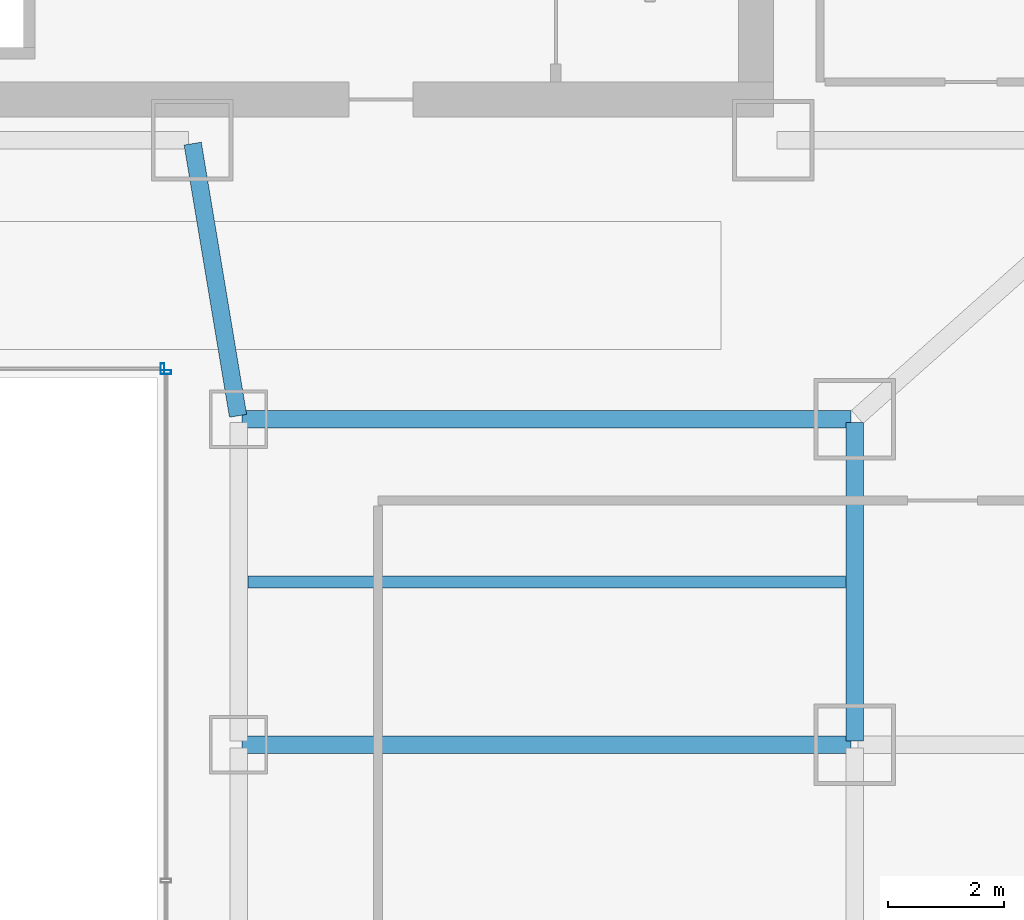
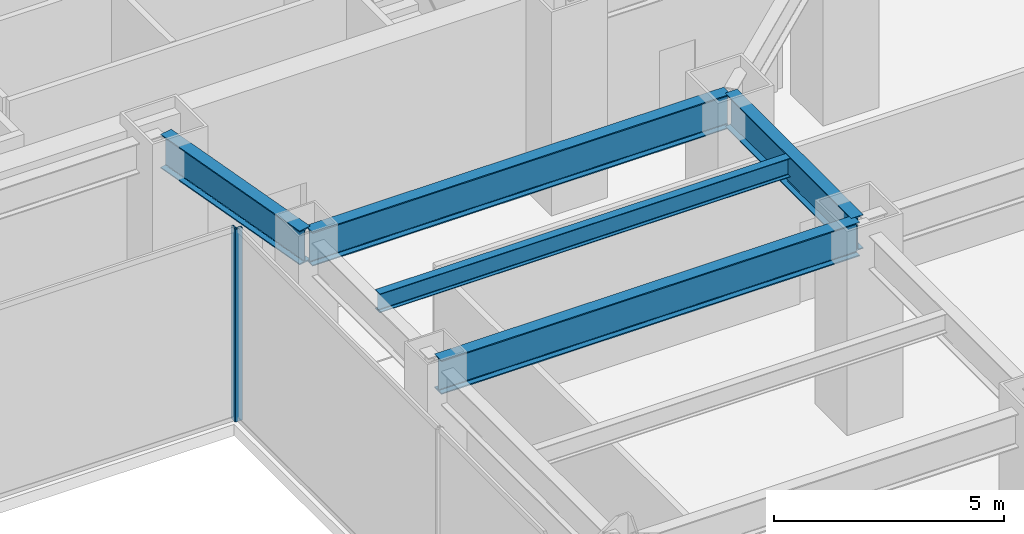
# One storey, part 26 of 52: 5 beams, 2 members, 2 elements without a shape of their own.
"""IFC4 building model written with IfcOpenShell, lengths in metres."""

from ifc_helpers import new_model, si_unit, direction, frame, origin, origin_2d, place, context, subcontext, project, spatial, hollow_rectangle, i_section, extrude, material, material_profile, profile_set, type_object, element, aggregate, save


model = new_model("IFC4")

# Units and contexts
model_context = context("Model", 3, precision=1e-05, world=origin(), true_north=direction((0.0, 1.0)))
body_context = subcontext(model_context, "Body", "Model", "MODEL_VIEW")
ifc_project = project(units=[si_unit("LENGTHUNIT", "METRE"), si_unit("AREAUNIT", "SQUARE_METRE"), si_unit("VOLUMEUNIT", "CUBIC_METRE"), si_unit("PLANEANGLEUNIT", "RADIAN"), si_unit("MASSUNIT", "GRAM", prefix="KILO")], contexts=[model_context])

# Site, building, storey
site_placement = place(None, origin())
site = spatial("IfcSite", under=ifc_project, at=site_placement, CompositionType="ELEMENT")
building_placement = place(site_placement, origin())
building = spatial("IfcBuilding", under=site, at=building_placement, Name="Saevonmaru Cultural Tower", CompositionType="ELEMENT")
storey_placement = place(building_placement, frame((0.0, 0.0, 11.39990234375)))
storey = spatial("IfcBuildingStorey", under=building, at=storey_placement, Name="L02", CompositionType="ELEMENT", Elevation=11.39990234375)

# Beams
ifc_material_1 = material(Name="Steel SM420", Category="steel")
ifc_material_profile_1 = material_profile(ifc_material_1, i_section(OverallWidth=0.300048828125, OverallDepth=0.89990234375, WebThickness=0.01611328125, FlangeThickness=0.028076171875, FilletRadius=0.028076171875, at=origin_2d()), Name="H-900x300x16x28")
ifc_profile_set_1 = profile_set([ifc_material_profile_1], Name="Steel SM420")
beam_type_1 = type_object("IfcBeamType", Name="BM-G-H900", PredefinedType="BEAM", material=ifc_profile_set_1)
beam_1_placement = place(storey_placement, frame((37.190185546875, 37.6591796875, 4.650146484375), z_axis=(-0.164398987305, 0.986393923832, 0.0), x_axis=(-0.986393923832, -0.164398987305, 0.0)))
element("IfcBeam", 1, at=beam_1_placement, inside=storey, type_object=beam_type_1, Name="L02 Podium Girder NS3-6", PredefinedType="BEAM", context=body_context, shape_type="SweptSolid", body=[
    extrude(i_section(OverallWidth=0.300048828125, OverallDepth=0.89990234375, WebThickness=0.01611328125, FlangeThickness=0.028076171875, FilletRadius=0.028076171875, at=origin_2d()), origin(), (0.0, 0.0, 1.0), 4.746337890625),
])
beam_2_placement = place(storey_placement, frame((47.800048828125, 32.06005859375, 4.650146484375), z_axis=(0.0, 1.0, 0.0), x_axis=(-1.0, 0.0, 0.0)))
element("IfcBeam", 2, at=beam_2_placement, inside=storey, type_object=beam_type_1, Name="L02 Podium Girder NS4-5", PredefinedType="BEAM", context=body_context, shape_type="SweptSolid", body=[
    extrude(i_section(OverallWidth=0.300048828125, OverallDepth=0.89990234375, WebThickness=0.01611328125, FlangeThickness=0.028076171875, FilletRadius=0.028076171875, at=origin_2d()), origin(), (0.0, 0.0, 1.0), 5.47998046875),
])
for number, where, z_axis, x_axis, name in (
    (3, (37.260009765625, 32.0, 4.650146484375), (1.0, 0.0, 0.0), (0.0, 1.0, 0.0), "L02 Gallery Girder E-4"),
    (4, (37.260009765625, 37.60009765625, 4.650146484375), (1.0, 0.0, 0.0), (0.0, 1.0, 0.0), "L02 Gallery Girder E-5"),
):
    element("IfcBeam", number, at=place(storey_placement, frame(where, z_axis=z_axis, x_axis=x_axis)), inside=storey, type_object=beam_type_1, Name=name, PredefinedType="BEAM", context=body_context, shape_type="SweptSolid", body=[
        extrude(i_section(OverallWidth=0.300048828125, OverallDepth=0.89990234375, WebThickness=0.01611328125, FlangeThickness=0.028076171875, FilletRadius=0.028076171875, at=origin_2d()), origin(), (0.0, 0.0, 1.0), 10.47998046875),
    ])
ifc_material_2 = material(Name="Steel SM355", Category="steel")
ifc_material_profile_2 = material_profile(ifc_material_2, i_section(OverallWidth=0.199951171875, OverallDepth=0.5, WebThickness=0.010009765625, FlangeThickness=0.01611328125, FilletRadius=0.02001953125, at=origin_2d()), Name="H-500x200x10x16")
ifc_profile_set_2 = profile_set([ifc_material_profile_2], Name="Steel SM355")
beam_type_2 = type_object("IfcBeamType", Name="BM-J-H500", PredefinedType="JOIST", material=ifc_profile_set_2)
beam_3_placement = place(storey_placement, frame((37.35791015625, 34.800048828125, 4.85009765625), z_axis=(1.0, 0.0, 0.0), x_axis=(0.0, 1.0, 0.0)))
element("IfcBeam", 5, at=beam_3_placement, inside=storey, type_object=beam_type_2, Name="L02 Secondary Floor Joist JE-4", PredefinedType="JOIST", context=body_context, shape_type="SweptSolid", body=[
    extrude(i_section(OverallWidth=0.199951171875, OverallDepth=0.5, WebThickness=0.010009765625, FlangeThickness=0.01611328125, FilletRadius=0.02001953125, at=origin_2d()), origin(), (0.0, 0.0, 1.0), 10.2841796875),
])

# Curtain wall, member
ifc_material_3 = material(Name="Satin Bronze Anodised Aluminium", Category="aluminium")
curtain_wall_type = type_object("IfcCurtainWallType", Name="CW-ATR-GLZ", PredefinedType="NOTDEFINED", material=ifc_material_3)
curtain_wall_1_placement = place(storey_placement, origin())
curtain_wall_1 = element("IfcCurtainWall", 6, at=curtain_wall_1_placement, inside=storey, type_object=curtain_wall_type, Name="L02 Vertical Atrium Glazed Smoke Screen 2", PredefinedType="NOTDEFINED")
ifc_material_profile_3 = material_profile(ifc_material_3, hollow_rectangle(XDim=0.06494140625, YDim=0.179931640625, WallThickness=0.00390625, at=origin_2d()), Name="ALU-MULL-180x65x4")
ifc_profile_set_3 = profile_set([ifc_material_profile_3], Name="Satin Bronze Anodised Aluminium")
member_type = type_object("IfcMemberType", Name="ML-CW-INT-180x65", PredefinedType="MULLION", material=ifc_profile_set_3)
member_1_placement = place(storey_placement, frame((35.949951171875, 38.409912109375, 0.0), z_axis=(0.0, 0.0, 1.0), x_axis=(0.0, 1.0, 0.0)))
member_1 = element("IfcMember", 7, at=member_1_placement, type_object=member_type, Name="CW-ATR-L02-2 mullion 3", PredefinedType="MULLION", context=body_context, shape_type="SweptSolid", body=[
    extrude(hollow_rectangle(XDim=0.06494140625, YDim=0.179931640625, WallThickness=0.00390625, at=origin_2d()), origin(), (0.0, 0.0, 1.0), 5.10009765625),
])
aggregate(curtain_wall_1, [member_1])

curtain_wall_2_placement = place(storey_placement, origin())
curtain_wall_2 = element("IfcCurtainWall", 8, at=curtain_wall_2_placement, inside=storey, type_object=curtain_wall_type, Name="L02 Vertical Atrium Glazed Smoke Screen 3", PredefinedType="NOTDEFINED")
member_2_placement = place(storey_placement, frame((35.889892578125, 38.469970703125, 0.0), z_axis=(0.0, 0.0, 1.0), x_axis=(-1.0, 0.0, 0.0)))
member_2 = element("IfcMember", 9, at=member_2_placement, type_object=member_type, Name="CW-ATR-L02-3 mullion 1", PredefinedType="MULLION", context=body_context, shape_type="SweptSolid", body=[
    extrude(hollow_rectangle(XDim=0.06494140625, YDim=0.179931640625, WallThickness=0.00390625, at=origin_2d()), origin(), (0.0, 0.0, 1.0), 5.10009765625),
])
aggregate(curtain_wall_2, [member_2])

save(model, "model.ifc")
